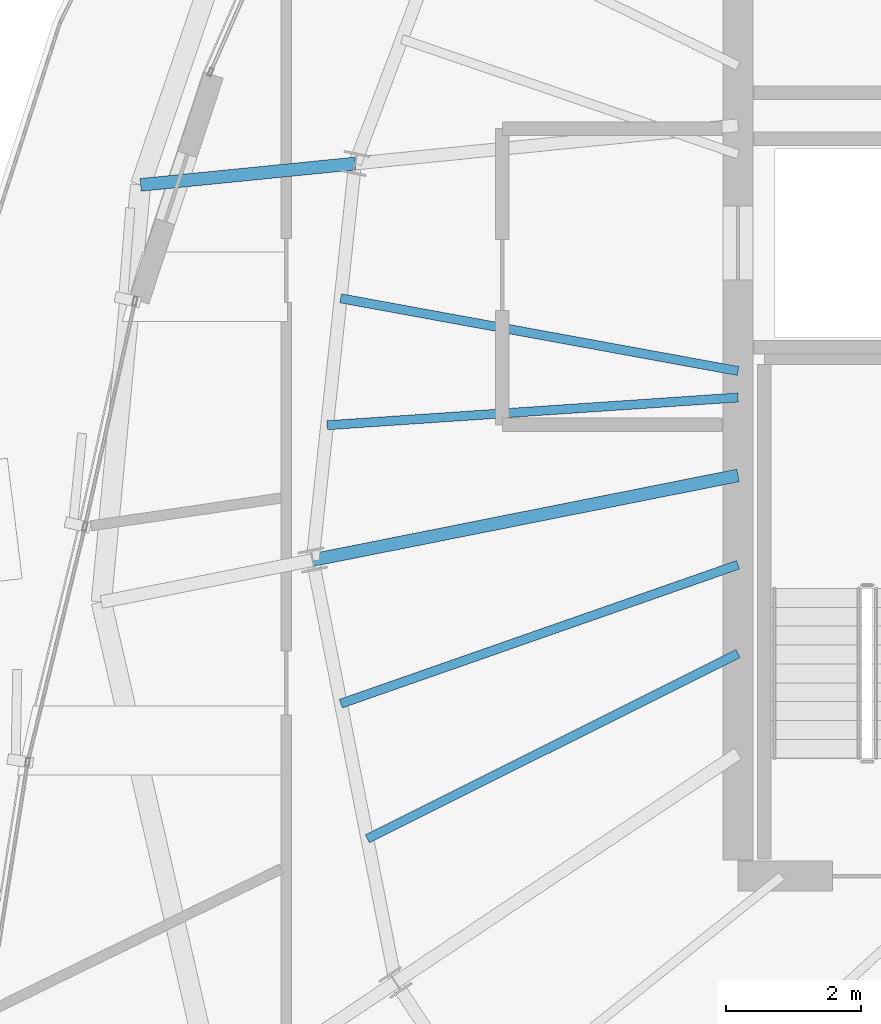
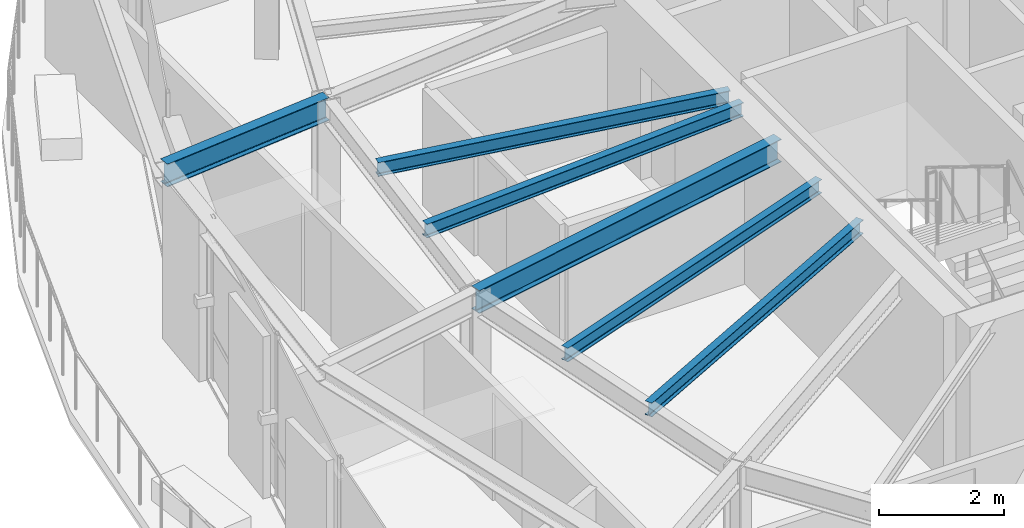
# One storey, part 10 of 36: 6 beams.
"""IFC4 building model written with IfcOpenShell, lengths in metres."""

from ifc_helpers import new_model, si_unit, direction, frame, origin, origin_2d, place, context, subcontext, project, spatial, i_section, extrude, source, transform, mapped, material, material_profile, profile_set, type_object, element, save


model = new_model("IFC4")

# Units and contexts
model_context = context("Model", 3, precision=1e-05, world=origin(), true_north=direction((0.0, 1.0)))
body_context = subcontext(model_context, "Body", "Model", "MODEL_VIEW")
ifc_project = project(units=[si_unit("LENGTHUNIT", "METRE"), si_unit("AREAUNIT", "SQUARE_METRE"), si_unit("VOLUMEUNIT", "CUBIC_METRE"), si_unit("PLANEANGLEUNIT", "RADIAN"), si_unit("MASSUNIT", "GRAM", prefix="KILO"), si_unit("THERMODYNAMICTEMPERATUREUNIT", "KELVIN")], contexts=[model_context])

# Site, building, storey
site_placement = place(None, origin())
site = spatial("IfcSite", under=ifc_project, at=site_placement, CompositionType="ELEMENT")
building_placement = place(site_placement, origin())
building = spatial("IfcBuilding", under=site, at=building_placement, Name="Kethvar Cultural Tower", CompositionType="ELEMENT")
storey_placement = place(building_placement, frame((0.0, 0.0, 242.199951171875)))
storey = spatial("IfcBuildingStorey", under=building, at=storey_placement, Name="L63", CompositionType="ELEMENT", Elevation=242.199951171875)

# Beams
ifc_material = material(Name="Steel S355J2", Category="steel")
ifc_material_profile_1 = material_profile(ifc_material, i_section(OverallWidth=0.18994140625, OverallDepth=0.449951171875, WebThickness=0.009521484375, FlangeThickness=0.0146484375, FilletRadius=0.02099609375, at=origin_2d()), Name="Steel S355J2 — IPE450")
ifc_profile_set_1 = profile_set([ifc_material_profile_1], Name="Steel S355J2 — IPE450")
beam_type_1 = type_object("IfcBeamType", Name="BM-IPE450", PredefinedType="BEAM", material=ifc_profile_set_1)
shared_shape_1 = source(origin(), body_context, "Body", "SweptSolid", [
    extrude(i_section(OverallWidth=0.18994140625, OverallDepth=0.449951171875, WebThickness=0.009521484375, FlangeThickness=0.0146484375, FilletRadius=0.02099609375, at=origin_2d()), origin(), (0.0, 0.0, 1.0), 3.2001953125),
])
beam_1_placement = place(storey_placement, frame((32.3125, 30.681884765625, 2.983154296875), z_axis=(-0.995047004836, -0.099405523829, 0.0), x_axis=(0.099405523829, -0.995047004836, 0.0)))
element("IfcBeam", 1, at=beam_1_placement, inside=storey, type_object=beam_type_1, Name="L63 Perimeter Cantilever Beam RC-08", PredefinedType="BEAM", context=body_context, shape_type="MappedRepresentation", body=[
    mapped(shared_shape_1, transform((0.0, 0.0, 0.0), scale=1.0)),
])
shared_shape_2 = source(origin(), body_context, "Body", "SweptSolid", [
    extrude(i_section(OverallWidth=0.18994140625, OverallDepth=0.449951171875, WebThickness=0.009521484375, FlangeThickness=0.0146484375, FilletRadius=0.02099609375, at=origin_2d()), origin(), (0.0, 0.0, 1.0), 6.440673828125),
])
beam_2_placement = place(storey_placement, frame((38.0, 26.049560546875, 2.983154296875), z_axis=(-0.980782804096, -0.195102770839, 0.0), x_axis=(0.195102770839, -0.980782804096, 0.0)))
element("IfcBeam", 2, at=beam_2_placement, inside=storey, type_object=beam_type_1, Name="L63 Primary Radial Beam RB-09", PredefinedType="BEAM", context=body_context, shape_type="MappedRepresentation", body=[
    mapped(shared_shape_2, transform((0.0, 0.0, 0.0), scale=1.0)),
])
ifc_material_profile_2 = material_profile(ifc_material, i_section(OverallWidth=0.135009765625, OverallDepth=0.27001953125, WebThickness=0.006591796875, FlangeThickness=0.01025390625, FilletRadius=0.014892578125, at=origin_2d()), Name="Steel S355J2 — IPE270")
ifc_profile_set_2 = profile_set([ifc_material_profile_2], Name="Steel S355J2 — IPE270")
beam_type_2 = type_object("IfcBeamType", Name="BM-J270", PredefinedType="JOIST", material=ifc_profile_set_2)
shared_shape_3 = source(origin(), body_context, "Body", "SweptSolid", [
    extrude(i_section(OverallWidth=0.135009765625, OverallDepth=0.27001953125, WebThickness=0.006591796875, FlangeThickness=0.01025390625, FilletRadius=0.014892578125, at=origin_2d()), origin(), (0.0, 0.0, 1.0), 5.99951171875),
])
beam_3_placement = place(storey_placement, frame((38.0, 27.60009765625, 3.072998046875), z_axis=(-0.983676616141, 0.179945310742, 0.0), x_axis=(-0.179945310742, -0.983676616141, 0.0)))
element("IfcBeam", 3, at=beam_3_placement, inside=storey, type_object=beam_type_2, Name="L63 Composite Floor Joist J-08A", PredefinedType="JOIST", context=body_context, shape_type="MappedRepresentation", body=[
    mapped(shared_shape_3, transform((0.0, 0.0, 0.0), scale=1.0)),
])
shared_shape_4 = source(origin(), body_context, "Body", "SweptSolid", [
    extrude(i_section(OverallWidth=0.135009765625, OverallDepth=0.27001953125, WebThickness=0.006591796875, FlangeThickness=0.01025390625, FilletRadius=0.014892578125, at=origin_2d()), origin(), (0.0, 0.0, 1.0), 6.116943359375),
])
beam_4_placement = place(storey_placement, frame((38.0, 27.206787109375, 3.072998046875), z_axis=(-0.997733289627, -0.067292516454, 0.0), x_axis=(0.067292516454, -0.997733289627, 0.0)))
element("IfcBeam", 4, at=beam_4_placement, inside=storey, type_object=beam_type_2, Name="L63 Composite Floor Joist J-08B", PredefinedType="JOIST", context=body_context, shape_type="MappedRepresentation", body=[
    mapped(shared_shape_4, transform((0.0, 0.0, 0.0), scale=1.0)),
])
shared_shape_5 = source(origin(), body_context, "Body", "SweptSolid", [
    extrude(i_section(OverallWidth=0.135009765625, OverallDepth=0.27001953125, WebThickness=0.006591796875, FlangeThickness=0.01025390625, FilletRadius=0.014892578125, at=origin_2d()), origin(), (0.0, 0.0, 1.0), 6.248779296875),
])
beam_5_placement = place(storey_placement, frame((38.0, 24.722900390625, 3.072998046875), z_axis=(-0.943960031743, -0.330059780148, 0.0), x_axis=(0.330059780148, -0.943960031743, 0.0)))
element("IfcBeam", 5, at=beam_5_placement, inside=storey, type_object=beam_type_2, Name="L63 Composite Floor Joist J-09A", PredefinedType="JOIST", context=body_context, shape_type="MappedRepresentation", body=[
    mapped(shared_shape_5, transform((0.0, 0.0, 0.0), scale=1.0)),
])
shared_shape_6 = source(origin(), body_context, "Body", "SweptSolid", [
    extrude(i_section(OverallWidth=0.135009765625, OverallDepth=0.27001953125, WebThickness=0.006591796875, FlangeThickness=0.01025390625, FilletRadius=0.014892578125, at=origin_2d()), origin(), (0.0, 0.0, 1.0), 6.154052734375),
])
beam_6_placement = place(storey_placement, frame((38.0, 23.40380859375, 3.072998046875), z_axis=(-0.89458581954, -0.446896197655, 0.0), x_axis=(0.446896197655, -0.89458581954, 0.0)))
element("IfcBeam", 6, at=beam_6_placement, inside=storey, type_object=beam_type_2, Name="L63 Composite Floor Joist J-09B", PredefinedType="JOIST", context=body_context, shape_type="MappedRepresentation", body=[
    mapped(shared_shape_6, transform((0.0, 0.0, 0.0), scale=1.0)),
])

save(model, "model.ifc")
